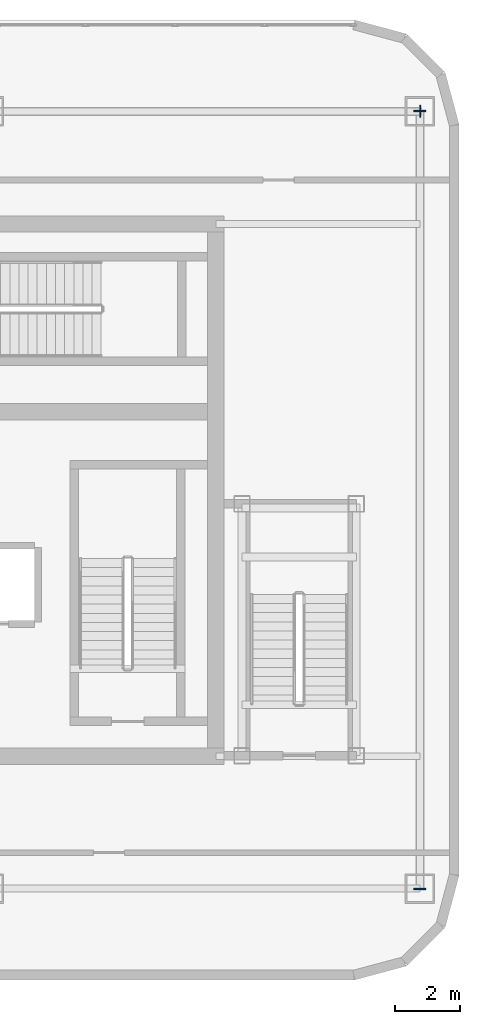
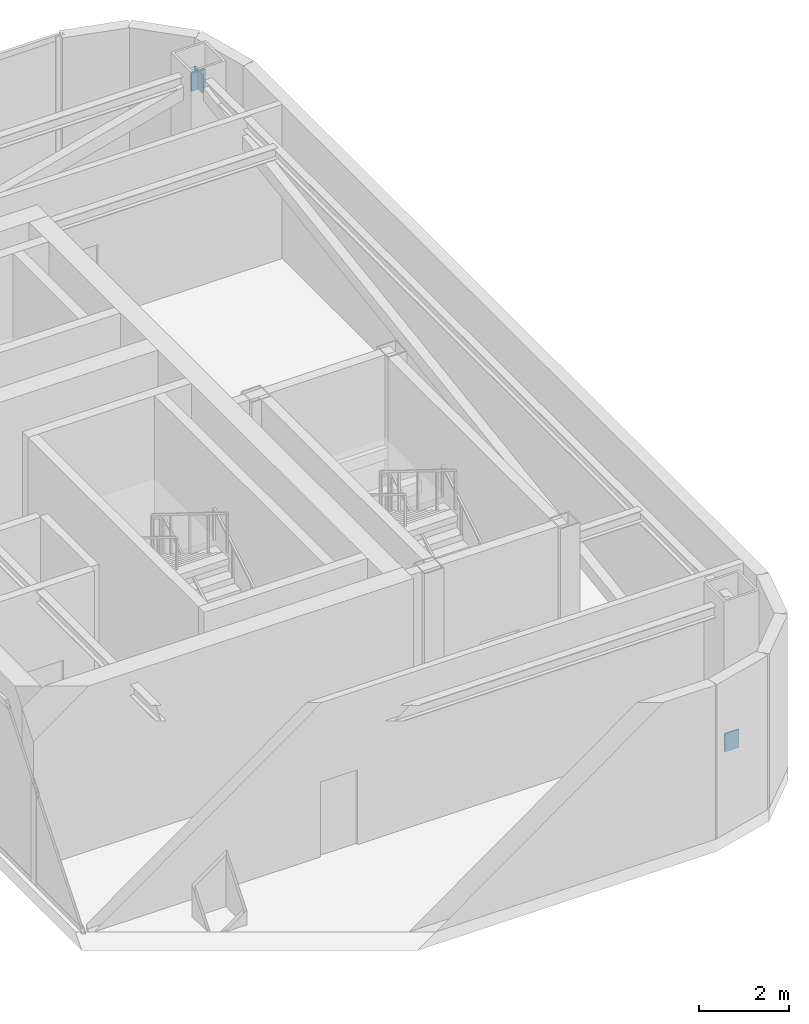
# One storey, part 10 of 14: 3 plates.
"""IFC4 building model written with IfcOpenShell, lengths in metres."""

from ifc_helpers import new_model, si_unit, direction, frame, origin, origin_2d, place, context, subcontext, project, spatial, rectangle, extrude, material, layer, layer_set, type_object, element, save


model = new_model("IFC4")

# Units and contexts
model_context = context("Model", 3, precision=1e-05, world=origin(), true_north=direction((0.0, 1.0)))
body_context = subcontext(model_context, "Body", "Model", "MODEL_VIEW")
ifc_project = project(units=[si_unit("LENGTHUNIT", "METRE"), si_unit("AREAUNIT", "SQUARE_METRE"), si_unit("VOLUMEUNIT", "CUBIC_METRE"), si_unit("PLANEANGLEUNIT", "RADIAN"), si_unit("MASSUNIT", "GRAM", prefix="KILO")], contexts=[model_context])

# Site, building, storey
site_placement = place(None, origin())
site = spatial("IfcSite", under=ifc_project, at=site_placement, CompositionType="ELEMENT")
building_placement = place(site_placement, origin())
building = spatial("IfcBuilding", under=site, at=building_placement, Name="Kiyonajd Concourse Tower", CompositionType="ELEMENT")
storey_placement = place(building_placement, frame((0.0, 0.0, 359.39990234375)))
storey = spatial("IfcBuildingStorey", under=building, at=storey_placement, Name="L90", CompositionType="ELEMENT", Elevation=359.39990234375)

# Plates
ifc_material = material(Name="Steel ASTM A572 Grade 50", Category="steel")
ifc_layer = layer(ifc_material, 0.028076171875)
ifc_layer_set = layer_set([ifc_layer], Name="Steel ASTM A572 Grade 50")
plate_type = type_object("IfcPlateType", Name="PL-CAP-450", PredefinedType="USERDEFINED", material=ifc_layer_set)
plate_placement = place(storey_placement, frame((69.610595703125, 47.60009765625, 3.60205078125), z_axis=(0.0, 0.0, 1.0), x_axis=(1.0, 0.0, 0.0)))
element("IfcPlate", 1, at=plate_placement, inside=storey, type_object=plate_type, Name="L90 Crown Wind Brace Cap", ObjectType="CAP PLATE", PredefinedType="USERDEFINED", context=body_context, shape_type="SweptSolid", body=[
    extrude(rectangle(XDim=0.035888671875, YDim=0.3701171875, at=origin_2d()), origin(), (0.0, 0.0, 1.0), 0.501953125),
])
for number, where, z_axis, x_axis, name in (
    (2, (69.60009765625, 23.7890625, 0.0517578125), (0.0, 0.0, 1.0), (0.0, -1.0, 0.0), "L90 Crown Wind Brace Cap"),
    (3, (69.60009765625, 47.61083984375, 3.60498046875), (0.0, 0.0, 1.0), (0.0, 1.0, 0.0), "L90 Crown Wind Brace Cap"),
):
    element("IfcPlate", number, at=place(storey_placement, frame(where, z_axis=z_axis, x_axis=x_axis)), inside=storey, type_object=plate_type, Name=name, ObjectType="CAP PLATE", PredefinedType="USERDEFINED", context=body_context, shape_type="SweptSolid", body=[
        extrude(rectangle(XDim=0.035888671875, YDim=0.3701171875, at=origin_2d()), origin(), (0.0, 0.0, 1.0), 0.493896484375),
    ])

save(model, "model.ifc")
